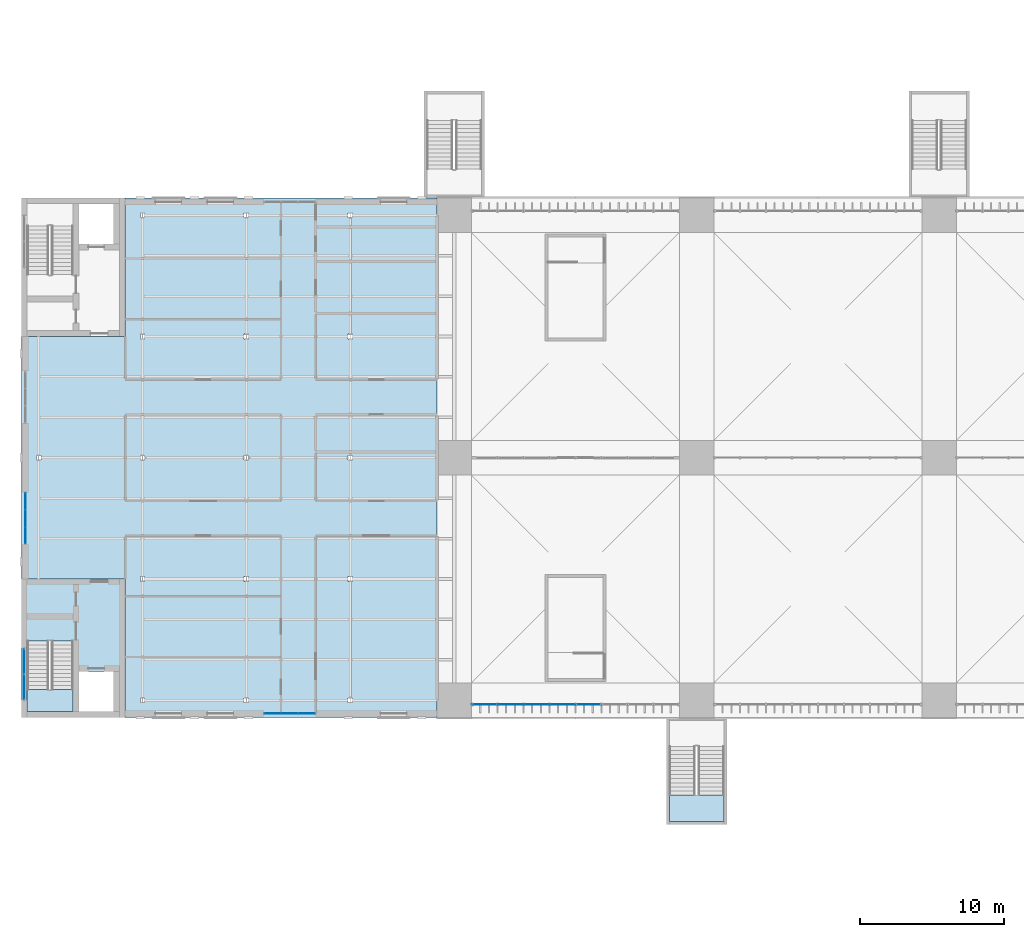
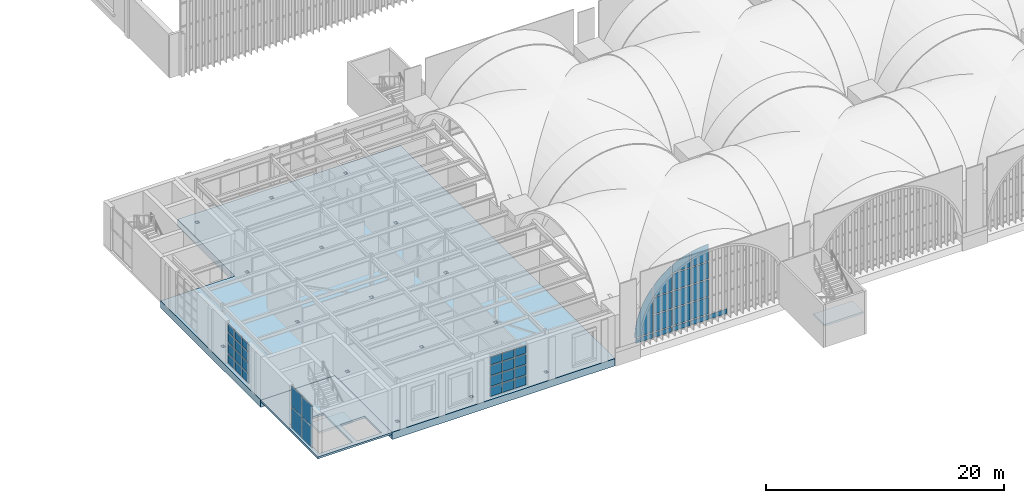
# One storey, part 75 of 169: 45 plates, 4 slabs, 6 elements without a shape of their own.
"""IFC4 building model written with IfcOpenShell, lengths in metres."""

from ifc_helpers import new_model, si_unit, direction, frame, origin, origin_2d, place, context, subcontext, project, spatial, polyline, rectangle, outline, extrude, material, layer, layer_set, type_object, element, aggregate, save


model = new_model("IFC4")

# Units and contexts
model_context = context("Model", 3, precision=1e-05, world=origin(), true_north=direction((0.0, 1.0)))
body_context = subcontext(model_context, "Body", "Model", "MODEL_VIEW")
ifc_project = project(units=[si_unit("LENGTHUNIT", "METRE"), si_unit("AREAUNIT", "SQUARE_METRE"), si_unit("VOLUMEUNIT", "CUBIC_METRE"), si_unit("PLANEANGLEUNIT", "RADIAN"), si_unit("MASSUNIT", "GRAM", prefix="KILO")], contexts=[model_context])

# Site, building, storey
site_placement = place(None, origin())
site = spatial("IfcSite", under=ifc_project, at=site_placement, CompositionType="ELEMENT")
building_placement = place(site_placement, origin())
building = spatial("IfcBuilding", under=site, at=building_placement, Name="Verrick Yard Athletic Hall", CompositionType="ELEMENT")
storey_placement = place(building_placement, frame((0.0, 0.0, 4.39990234375)))
storey = spatial("IfcBuildingStorey", under=building, at=storey_placement, Name="L01", CompositionType="ELEMENT", Elevation=4.39990234375)

# Slab
ifc_material_1 = material(Name="Concrete 35 MPa", Category="concrete")
ifc_layer_1 = layer(ifc_material_1, 0.199951171875)
ifc_layer_set_1 = layer_set([ifc_layer_1], Name="Core floor slab 200")
slab_type_1 = type_object("IfcSlabType", Name="Core floor slab 200", PredefinedType="FLOOR", material=ifc_layer_set_1)
slab_1_placement = place(storey_placement, frame((0.0, 0.0, -0.199951171875)))
element("IfcSlab", 1, at=slab_1_placement, inside=storey, type_object=slab_type_1, Name="CORE-CB1-FLR-L01", PredefinedType="FLOOR", context=body_context, shape_type="SweptSolid", body=[
    extrude(outline(polyline([(10.0, 18.0), (17.199951171875, 18.0), (17.199951171875, 27.60009765625), (10.0, 27.60009765625), (10.0, 18.0)]), holes=[polyline([(10.403076171875, 23.297119140625), (13.596923828125, 23.297119140625), (13.596923828125, 18.403076171875), (10.403076171875, 18.403076171875), (10.403076171875, 23.297119140625)]), polyline([(14.0029296875, 18.403076171875), (14.0029296875, 21.197021484375), (16.39697265625, 21.197021484375), (16.39697265625, 18.403076171875), (14.0029296875, 18.403076171875)])]), origin(), (0.0, 0.0, 1.0), 0.199951171875),
])

# Curtain wall, plates
ifc_material_2 = material(Name="Aluminium 6063-T5", Category="aluminium")
curtain_wall_type_1 = type_object("IfcCurtainWallType", Name="Core glazing strip", PredefinedType="NOTDEFINED", material=ifc_material_2)
curtain_wall_1_placement = place(storey_placement, origin())
curtain_wall_1 = element("IfcCurtainWall", 2, at=curtain_wall_1_placement, inside=storey, type_object=curtain_wall_type_1, Name="CORE-CB1-CW-L01", PredefinedType="NOTDEFINED")
ifc_material_3 = material(Name="Glass IGU low-e", Category="glass")
ifc_layer_2 = layer(ifc_material_3, 0.028076171875)
ifc_layer_set_2 = layer_set([ifc_layer_2], Name="Core glazing panel 28")
plate_type_1 = type_object("IfcPlateType", Name="Core glazing panel 28", PredefinedType="CURTAIN_PANEL", material=ifc_layer_set_2)
plate_1_placement = place(storey_placement, frame((10.199951171875, 20.114990234375, 0.06005859375), z_axis=(0.0, 0.0, 1.0), x_axis=(0.0, 1.0, 0.0)))
plate_1 = element("IfcPlate", 3, at=plate_1_placement, type_object=plate_type_1, Name="CW5 panel 1.1", PredefinedType="CURTAIN_PANEL", context=body_context, shape_type="SweptSolid", body=[
    extrude(rectangle(XDim=1.7099609375, YDim=0.028076171875, at=origin_2d()), origin(), (0.0, 0.0, 1.0), 2.110107421875),
])
plate_2_placement = place(storey_placement, frame((10.199951171875, 20.114990234375, 2.22998046875), z_axis=(0.0, 0.0, 1.0), x_axis=(0.0, 1.0, 0.0)))
plate_2 = element("IfcPlate", 4, at=plate_2_placement, type_object=plate_type_1, Name="CW5 panel 1.2", PredefinedType="CURTAIN_PANEL", context=body_context, shape_type="SweptSolid", body=[
    extrude(rectangle(XDim=1.7099609375, YDim=0.028076171875, at=origin_2d()), origin(), (0.0, 0.0, 1.0), 2.110107421875),
])
plate_3_placement = place(storey_placement, frame((10.199951171875, 21.885009765625, 0.06005859375), z_axis=(0.0, 0.0, 1.0), x_axis=(0.0, 1.0, 0.0)))
plate_3 = element("IfcPlate", 5, at=plate_3_placement, type_object=plate_type_1, Name="CW5 panel 2.1", PredefinedType="CURTAIN_PANEL", context=body_context, shape_type="SweptSolid", body=[
    extrude(rectangle(XDim=1.7099609375, YDim=0.028076171875, at=origin_2d()), origin(), (0.0, 0.0, 1.0), 2.110107421875),
])
plate_4_placement = place(storey_placement, frame((10.199951171875, 21.885009765625, 2.22998046875), z_axis=(0.0, 0.0, 1.0), x_axis=(0.0, 1.0, 0.0)))
plate_4 = element("IfcPlate", 6, at=plate_4_placement, type_object=plate_type_1, Name="CW5 panel 2.2", PredefinedType="CURTAIN_PANEL", context=body_context, shape_type="SweptSolid", body=[
    extrude(rectangle(XDim=1.7099609375, YDim=0.028076171875, at=origin_2d()), origin(), (0.0, 0.0, 1.0), 2.110107421875),
])
aggregate(curtain_wall_1, [plate_1, plate_2, plate_3, plate_4])

ifc_material_4 = material(Name="Aluminium and glass curtain wall", Category="aluminium")
ifc_layer_3 = layer(ifc_material_4, 0.14990234375)
ifc_layer_set_3 = layer_set([ifc_layer_3], Name="Arcade glazing arch")
curtain_wall_type_2 = type_object("IfcCurtainWallType", Name="Arcade glazing arch", PredefinedType="NOTDEFINED", material=ifc_layer_set_3)
curtain_wall_2_placement = place(storey_placement, origin())
curtain_wall_2 = element("IfcCurtainWall", 7, at=curtain_wall_2_placement, inside=storey, type_object=curtain_wall_type_2, Name="Arcade glazing S1", PredefinedType="NOTDEFINED")
ifc_material_5 = material(Name="Laminated glass 28 mm", Category="glass")
ifc_layer_4 = layer(ifc_material_5, 0.028076171875)
ifc_layer_set_4 = layer_set([ifc_layer_4], Name="Curtain wall glass panel")
plate_type_2 = type_object("IfcPlateType", Name="Curtain wall glass panel", PredefinedType="CURTAIN_PANEL", material=ifc_layer_set_4)
plate_5_placement = place(storey_placement, frame((41.199951171875, 18.89990234375, 0.101806640625), z_axis=(0.0, 0.0, 1.0), x_axis=(1.0, 0.0, 0.0)))
plate_5 = element("IfcPlate", 8, at=plate_5_placement, type_object=plate_type_2, Name="Arcade glazing S1 panel 1", PredefinedType="CURTAIN_PANEL", context=body_context, shape_type="SweptSolid", body=[
    extrude(outline(polyline([(1.749267578125, 0.0), (1.749267578125, 0.49755859375), (0.10205078125, 0.49755859375), (0.10205078125, 0.0), (1.749267578125, 0.0)])), frame((0.0, 0.01416015625, 0.0), z_axis=(0.0, -1.0, 0.0), x_axis=(1.0, 0.0, 0.0)), (0.0, 0.0, 1.0), 0.028076171875),
])
plate_6_placement = place(storey_placement, frame((41.199951171875, 18.89990234375, 0.700927734375), z_axis=(0.0, 0.0, 1.0), x_axis=(1.0, 0.0, 0.0)))
plate_6 = element("IfcPlate", 9, at=plate_6_placement, type_object=plate_type_2, Name="Arcade glazing S1 panel 2", PredefinedType="CURTAIN_PANEL", context=body_context, shape_type="SweptSolid", body=[
    extrude(outline(polyline([(1.749267578125, 4.651123046875), (1.6845703125, 4.5771484375), (1.48779296875, 4.332275390625), (1.302001953125, 4.078857421875), (1.127685546875, 3.81787109375), (0.964599609375, 3.549072265625), (0.8134765625, 3.273681640625), (0.674560546875, 2.9921875), (0.548095703125, 2.70458984375), (0.43408203125, 2.41162109375), (0.333251953125, 2.1142578125), (0.245361328125, 1.812744140625), (0.170654296875, 1.507568359375), (0.109375, 1.199462890625), (0.0615234375, 0.888916015625), (0.02734375, 0.57666015625), (0.0068359375, 0.26318359375), (0.001220703125, 0.0), (1.749267578125, 0.0), (1.749267578125, 4.651123046875)])), frame((0.0, 0.01416015625, 0.0), z_axis=(0.0, -1.0, 0.0), x_axis=(1.0, 0.0, 0.0)), (0.0, 0.0, 1.0), 0.028076171875),
])
plate_7_placement = place(storey_placement, frame((41.199951171875, 18.89990234375, 0.101806640625), z_axis=(0.0, 0.0, 1.0), x_axis=(1.0, 0.0, 0.0)))
plate_7 = element("IfcPlate", 10, at=plate_7_placement, type_object=plate_type_2, Name="Arcade glazing S1 panel 3", PredefinedType="CURTAIN_PANEL", context=body_context, shape_type="SweptSolid", body=[
    extrude(outline(polyline([(3.54931640625, 0.0), (3.54931640625, 0.49755859375), (1.850830078125, 0.49755859375), (1.850830078125, 0.0), (3.54931640625, 0.0)])), frame((0.0, 0.01416015625, 0.0), z_axis=(0.0, -1.0, 0.0), x_axis=(1.0, 0.0, 0.0)), (0.0, 0.0, 1.0), 0.028076171875),
])
plate_8_placement = place(storey_placement, frame((41.199951171875, 18.89990234375, 0.700927734375), z_axis=(0.0, 0.0, 1.0), x_axis=(1.0, 0.0, 0.0)))
plate_8 = element("IfcPlate", 11, at=plate_8_placement, type_object=plate_type_2, Name="Arcade glazing S1 panel 4", PredefinedType="CURTAIN_PANEL", context=body_context, shape_type="SweptSolid", body=[
    extrude(outline(polyline([(3.54931640625, 0.0), (3.54931640625, 1.698486328125), (1.850830078125, 1.698486328125), (1.850830078125, 0.0), (3.54931640625, 0.0)])), frame((0.0, 0.01416015625, 0.0), z_axis=(0.0, -1.0, 0.0), x_axis=(1.0, 0.0, 0.0)), (0.0, 0.0, 1.0), 0.028076171875),
])
plate_9_placement = place(storey_placement, frame((41.199951171875, 18.89990234375, 2.5009765625), z_axis=(0.0, 0.0, 1.0), x_axis=(1.0, 0.0, 0.0)))
plate_9 = element("IfcPlate", 12, at=plate_9_placement, type_object=plate_type_2, Name="Arcade glazing S1 panel 5", PredefinedType="CURTAIN_PANEL", context=body_context, shape_type="SweptSolid", body=[
    extrude(outline(polyline([(3.54931640625, 0.0), (3.54931640625, 1.6982421875), (1.850830078125, 1.6982421875), (1.850830078125, 0.0), (3.54931640625, 0.0)])), frame((0.0, 0.01416015625, 0.0), z_axis=(0.0, -1.0, 0.0), x_axis=(1.0, 0.0, 0.0)), (0.0, 0.0, 1.0), 0.028076171875),
])
plate_10_placement = place(storey_placement, frame((41.199951171875, 18.89990234375, 4.30078125), z_axis=(0.0, 0.0, 1.0), x_axis=(1.0, 0.0, 0.0)))
plate_10 = element("IfcPlate", 13, at=plate_10_placement, type_object=plate_type_2, Name="Arcade glazing S1 panel 6", PredefinedType="CURTAIN_PANEL", context=body_context, shape_type="SweptSolid", body=[
    extrude(outline(polyline([(3.54931640625, 2.553955078125), (3.331298828125, 2.421630859375), (3.0703125, 2.247314453125), (2.81689453125, 2.0615234375), (2.572021484375, 1.86474609375), (2.335693359375, 1.65771484375), (2.10888671875, 1.4404296875), (1.8916015625, 1.213623046875), (1.850830078125, 1.1669921875), (1.850830078125, 0.0), (3.54931640625, 0.0), (3.54931640625, 2.553955078125)])), frame((0.0, 0.01416015625, 0.0), z_axis=(0.0, -1.0, 0.0), x_axis=(1.0, 0.0, 0.0)), (0.0, 0.0, 1.0), 0.028076171875),
])
plate_11_placement = place(storey_placement, frame((41.199951171875, 18.89990234375, 0.101806640625), z_axis=(0.0, 0.0, 1.0), x_axis=(1.0, 0.0, 0.0)))
plate_11 = element("IfcPlate", 14, at=plate_11_placement, type_object=plate_type_2, Name="Arcade glazing S1 panel 7", PredefinedType="CURTAIN_PANEL", context=body_context, shape_type="SweptSolid", body=[
    extrude(outline(polyline([(5.34912109375, 0.0), (5.34912109375, 0.49755859375), (3.65087890625, 0.49755859375), (3.65087890625, 0.0), (5.34912109375, 0.0)])), frame((0.0, 0.01416015625, 0.0), z_axis=(0.0, -1.0, 0.0), x_axis=(1.0, 0.0, 0.0)), (0.0, 0.0, 1.0), 0.028076171875),
])
plate_12_placement = place(storey_placement, frame((41.199951171875, 18.89990234375, 0.700927734375), z_axis=(0.0, 0.0, 1.0), x_axis=(1.0, 0.0, 0.0)))
plate_12 = element("IfcPlate", 15, at=plate_12_placement, type_object=plate_type_2, Name="Arcade glazing S1 panel 8", PredefinedType="CURTAIN_PANEL", context=body_context, shape_type="SweptSolid", body=[
    extrude(outline(polyline([(5.34912109375, 0.0), (5.34912109375, 1.698486328125), (3.65087890625, 1.698486328125), (3.65087890625, 0.0), (5.34912109375, 0.0)])), frame((0.0, 0.01416015625, 0.0), z_axis=(0.0, -1.0, 0.0), x_axis=(1.0, 0.0, 0.0)), (0.0, 0.0, 1.0), 0.028076171875),
])
plate_13_placement = place(storey_placement, frame((41.199951171875, 18.89990234375, 2.5009765625), z_axis=(0.0, 0.0, 1.0), x_axis=(1.0, 0.0, 0.0)))
plate_13 = element("IfcPlate", 16, at=plate_13_placement, type_object=plate_type_2, Name="Arcade glazing S1 panel 9", PredefinedType="CURTAIN_PANEL", context=body_context, shape_type="SweptSolid", body=[
    extrude(outline(polyline([(5.34912109375, 0.0), (5.34912109375, 1.6982421875), (3.65087890625, 1.6982421875), (3.65087890625, 0.0), (5.34912109375, 0.0)])), frame((0.0, 0.01416015625, 0.0), z_axis=(0.0, -1.0, 0.0), x_axis=(1.0, 0.0, 0.0)), (0.0, 0.0, 1.0), 0.028076171875),
])
plate_14_placement = place(storey_placement, frame((41.199951171875, 18.89990234375, 4.30078125), z_axis=(0.0, 0.0, 1.0), x_axis=(1.0, 0.0, 0.0)))
plate_14 = element("IfcPlate", 17, at=plate_14_placement, type_object=plate_type_2, Name="Arcade glazing S1 panel 10", PredefinedType="CURTAIN_PANEL", context=body_context, shape_type="SweptSolid", body=[
    extrude(outline(polyline([(5.34912109375, 0.0), (5.34912109375, 1.698486328125), (3.65087890625, 1.698486328125), (3.65087890625, 0.0), (5.34912109375, 0.0)])), frame((0.0, 0.01416015625, 0.0), z_axis=(0.0, -1.0, 0.0), x_axis=(1.0, 0.0, 0.0)), (0.0, 0.0, 1.0), 0.028076171875),
])
plate_15_placement = place(storey_placement, frame((41.199951171875, 18.89990234375, 6.100830078125), z_axis=(0.0, 0.0, 1.0), x_axis=(1.0, 0.0, 0.0)))
plate_15 = element("IfcPlate", 18, at=plate_15_placement, type_object=plate_type_2, Name="Arcade glazing S1 panel 11", PredefinedType="CURTAIN_PANEL", context=body_context, shape_type="SweptSolid", body=[
    extrude(outline(polyline([(5.34912109375, 1.507080078125), (5.33642578125, 1.50390625), (5.034912109375, 1.416015625), (4.737548828125, 1.315185546875), (4.444580078125, 1.201171875), (4.156982421875, 1.07470703125), (3.87548828125, 0.935791015625), (3.65087890625, 0.8125), (3.65087890625, 0.0), (5.34912109375, 0.0), (5.34912109375, 1.507080078125)])), frame((0.0, 0.01416015625, 0.0), z_axis=(0.0, -1.0, 0.0), x_axis=(1.0, 0.0, 0.0)), (0.0, 0.0, 1.0), 0.028076171875),
])
plate_16_placement = place(storey_placement, frame((41.199951171875, 18.89990234375, 0.101806640625), z_axis=(0.0, 0.0, 1.0), x_axis=(1.0, 0.0, 0.0)))
plate_16 = element("IfcPlate", 19, at=plate_16_placement, type_object=plate_type_2, Name="Arcade glazing S1 panel 12", PredefinedType="CURTAIN_PANEL", context=body_context, shape_type="SweptSolid", body=[
    extrude(outline(polyline([(7.149169921875, 0.0), (7.149169921875, 0.49755859375), (5.45068359375, 0.49755859375), (5.45068359375, 0.0), (7.149169921875, 0.0)])), frame((0.0, 0.01416015625, 0.0), z_axis=(0.0, -1.0, 0.0), x_axis=(1.0, 0.0, 0.0)), (0.0, 0.0, 1.0), 0.028076171875),
])
plate_17_placement = place(storey_placement, frame((41.199951171875, 18.89990234375, 0.700927734375), z_axis=(0.0, 0.0, 1.0), x_axis=(1.0, 0.0, 0.0)))
plate_17 = element("IfcPlate", 20, at=plate_17_placement, type_object=plate_type_2, Name="Arcade glazing S1 panel 13", PredefinedType="CURTAIN_PANEL", context=body_context, shape_type="SweptSolid", body=[
    extrude(outline(polyline([(7.149169921875, 0.0), (7.149169921875, 1.698486328125), (5.45068359375, 1.698486328125), (5.45068359375, 0.0), (7.149169921875, 0.0)])), frame((0.0, 0.01416015625, 0.0), z_axis=(0.0, -1.0, 0.0), x_axis=(1.0, 0.0, 0.0)), (0.0, 0.0, 1.0), 0.028076171875),
])
plate_18_placement = place(storey_placement, frame((41.199951171875, 18.89990234375, 2.5009765625), z_axis=(0.0, 0.0, 1.0), x_axis=(1.0, 0.0, 0.0)))
plate_18 = element("IfcPlate", 21, at=plate_18_placement, type_object=plate_type_2, Name="Arcade glazing S1 panel 14", PredefinedType="CURTAIN_PANEL", context=body_context, shape_type="SweptSolid", body=[
    extrude(outline(polyline([(7.149169921875, 0.0), (7.149169921875, 1.6982421875), (5.45068359375, 1.6982421875), (5.45068359375, 0.0), (7.149169921875, 0.0)])), frame((0.0, 0.01416015625, 0.0), z_axis=(0.0, -1.0, 0.0), x_axis=(1.0, 0.0, 0.0)), (0.0, 0.0, 1.0), 0.028076171875),
])
plate_19_placement = place(storey_placement, frame((41.199951171875, 18.89990234375, 4.30078125), z_axis=(0.0, 0.0, 1.0), x_axis=(1.0, 0.0, 0.0)))
plate_19 = element("IfcPlate", 22, at=plate_19_placement, type_object=plate_type_2, Name="Arcade glazing S1 panel 15", PredefinedType="CURTAIN_PANEL", context=body_context, shape_type="SweptSolid", body=[
    extrude(outline(polyline([(7.149169921875, 0.0), (7.149169921875, 1.698486328125), (5.45068359375, 1.698486328125), (5.45068359375, 0.0), (7.149169921875, 0.0)])), frame((0.0, 0.01416015625, 0.0), z_axis=(0.0, -1.0, 0.0), x_axis=(1.0, 0.0, 0.0)), (0.0, 0.0, 1.0), 0.028076171875),
])
plate_20_placement = place(storey_placement, frame((41.199951171875, 18.89990234375, 6.100830078125), z_axis=(0.0, 0.0, 1.0), x_axis=(1.0, 0.0, 0.0)))
plate_20 = element("IfcPlate", 23, at=plate_20_placement, type_object=plate_type_2, Name="Arcade glazing S1 panel 16", PredefinedType="CURTAIN_PANEL", context=body_context, shape_type="SweptSolid", body=[
    extrude(outline(polyline([(7.149169921875, 1.748046875), (6.885986328125, 1.742431640625), (6.572509765625, 1.721923828125), (6.26025390625, 1.687744140625), (5.94970703125, 1.639892578125), (5.6416015625, 1.57861328125), (5.45068359375, 1.531982421875), (5.45068359375, 0.0), (7.149169921875, 0.0), (7.149169921875, 1.748046875)])), frame((0.0, 0.01416015625, 0.0), z_axis=(0.0, -1.0, 0.0), x_axis=(1.0, 0.0, 0.0)), (0.0, 0.0, 1.0), 0.028076171875),
])
plate_21_placement = place(storey_placement, frame((41.199951171875, 18.89990234375, 0.101806640625), z_axis=(0.0, 0.0, 1.0), x_axis=(1.0, 0.0, 0.0)))
plate_21 = element("IfcPlate", 24, at=plate_21_placement, type_object=plate_type_2, Name="Arcade glazing S1 panel 17", PredefinedType="CURTAIN_PANEL", context=body_context, shape_type="SweptSolid", body=[
    extrude(outline(polyline([(8.94921875, 0.0), (8.94921875, 0.49755859375), (7.250732421875, 0.49755859375), (7.250732421875, 0.0), (8.94921875, 0.0)])), frame((0.0, 0.01416015625, 0.0), z_axis=(0.0, -1.0, 0.0), x_axis=(1.0, 0.0, 0.0)), (0.0, 0.0, 1.0), 0.028076171875),
])
aggregate(curtain_wall_2, [plate_5, plate_6, plate_7, plate_8, plate_9, plate_10, plate_11, plate_12, plate_13, plate_14, plate_15, plate_16, plate_17, plate_18, plate_19, plate_20, plate_21])

ifc_material_6 = material(Name="Anodised aluminium", Category="aluminium")
ifc_layer_5 = layer(ifc_material_6, 0.199951171875)
ifc_layer_set_5 = layer_set([ifc_layer_5], Name="Front glazing")
curtain_wall_type_3 = type_object("IfcCurtainWallType", Name="Front glazing", PredefinedType="NOTDEFINED", material=ifc_layer_set_5)
curtain_wall_3_placement = place(storey_placement, origin())
curtain_wall_3 = element("IfcCurtainWall", 25, at=curtain_wall_3_placement, inside=storey, type_object=curtain_wall_type_3, Name="ENVB-WS-L01-CW268", PredefinedType="NOTDEFINED")
ifc_layer_6 = layer(ifc_material_3, 0.03125)
ifc_layer_set_6 = layer_set([ifc_layer_6], Name="Glazing panel 31")
plate_type_3 = type_object("IfcPlateType", Name="Glazing panel 31", PredefinedType="CURTAIN_PANEL", material=ifc_layer_set_6)
plate_22_placement = place(storey_placement, frame((27.4150390625, 18.28125, 0.1201171875), z_axis=(0.0, 0.0, 1.0), x_axis=(1.0, 0.0, 0.0)))
plate_22 = element("IfcPlate", 26, at=plate_22_placement, type_object=plate_type_3, Name="ENVB-WS-L01-CW268/P00-00", PredefinedType="CURTAIN_PANEL", context=body_context, shape_type="SweptSolid", body=[
    extrude(rectangle(XDim=1.110107421875, YDim=0.03125, at=origin_2d()), origin(), (0.0, 0.0, 1.0), 0.919921875),
])
plate_23_placement = place(storey_placement, frame((27.4150390625, 18.28125, 1.16015625), z_axis=(0.0, 0.0, 1.0), x_axis=(1.0, 0.0, 0.0)))
plate_23 = element("IfcPlate", 27, at=plate_23_placement, type_object=plate_type_3, Name="ENVB-WS-L01-CW268/P00-01", PredefinedType="CURTAIN_PANEL", context=body_context, shape_type="SweptSolid", body=[
    extrude(rectangle(XDim=1.110107421875, YDim=0.03125, at=origin_2d()), origin(), (0.0, 0.0, 1.0), 0.97998046875),
])
plate_24_placement = place(storey_placement, frame((27.4150390625, 18.28125, 2.260009765625), z_axis=(0.0, 0.0, 1.0), x_axis=(1.0, 0.0, 0.0)))
plate_24 = element("IfcPlate", 28, at=plate_24_placement, type_object=plate_type_3, Name="ENVB-WS-L01-CW268/P00-02", PredefinedType="CURTAIN_PANEL", context=body_context, shape_type="SweptSolid", body=[
    extrude(rectangle(XDim=1.110107421875, YDim=0.03125, at=origin_2d()), origin(), (0.0, 0.0, 1.0), 0.97998046875),
])
plate_25_placement = place(storey_placement, frame((27.4150390625, 18.28125, 3.360107421875), z_axis=(0.0, 0.0, 1.0), x_axis=(1.0, 0.0, 0.0)))
plate_25 = element("IfcPlate", 29, at=plate_25_placement, type_object=plate_type_3, Name="ENVB-WS-L01-CW268/P00-03", PredefinedType="CURTAIN_PANEL", context=body_context, shape_type="SweptSolid", body=[
    extrude(rectangle(XDim=1.110107421875, YDim=0.03125, at=origin_2d()), origin(), (0.0, 0.0, 1.0), 0.77001953125),
])
plate_26_placement = place(storey_placement, frame((28.60009765625, 18.28125, 0.1201171875), z_axis=(0.0, 0.0, 1.0), x_axis=(1.0, 0.0, 0.0)))
plate_26 = element("IfcPlate", 30, at=plate_26_placement, type_object=plate_type_3, Name="ENVB-WS-L01-CW268/P01-00", PredefinedType="CURTAIN_PANEL", context=body_context, shape_type="SweptSolid", body=[
    extrude(rectangle(XDim=1.139892578125, YDim=0.03125, at=origin_2d()), origin(), (0.0, 0.0, 1.0), 0.919921875),
])
plate_27_placement = place(storey_placement, frame((28.60009765625, 18.28125, 1.16015625), z_axis=(0.0, 0.0, 1.0), x_axis=(1.0, 0.0, 0.0)))
plate_27 = element("IfcPlate", 31, at=plate_27_placement, type_object=plate_type_3, Name="ENVB-WS-L01-CW268/P01-01", PredefinedType="CURTAIN_PANEL", context=body_context, shape_type="SweptSolid", body=[
    extrude(rectangle(XDim=1.139892578125, YDim=0.03125, at=origin_2d()), origin(), (0.0, 0.0, 1.0), 0.97998046875),
])
plate_28_placement = place(storey_placement, frame((28.60009765625, 18.28125, 2.260009765625), z_axis=(0.0, 0.0, 1.0), x_axis=(1.0, 0.0, 0.0)))
plate_28 = element("IfcPlate", 32, at=plate_28_placement, type_object=plate_type_3, Name="ENVB-WS-L01-CW268/P01-02", PredefinedType="CURTAIN_PANEL", context=body_context, shape_type="SweptSolid", body=[
    extrude(rectangle(XDim=1.139892578125, YDim=0.03125, at=origin_2d()), origin(), (0.0, 0.0, 1.0), 0.97998046875),
])
plate_29_placement = place(storey_placement, frame((28.60009765625, 18.28125, 3.360107421875), z_axis=(0.0, 0.0, 1.0), x_axis=(1.0, 0.0, 0.0)))
plate_29 = element("IfcPlate", 33, at=plate_29_placement, type_object=plate_type_3, Name="ENVB-WS-L01-CW268/P01-03", PredefinedType="CURTAIN_PANEL", context=body_context, shape_type="SweptSolid", body=[
    extrude(rectangle(XDim=1.139892578125, YDim=0.03125, at=origin_2d()), origin(), (0.0, 0.0, 1.0), 0.77001953125),
])
plate_30_placement = place(storey_placement, frame((29.784912109375, 18.28125, 0.1201171875), z_axis=(0.0, 0.0, 1.0), x_axis=(1.0, 0.0, 0.0)))
plate_30 = element("IfcPlate", 34, at=plate_30_placement, type_object=plate_type_3, Name="ENVB-WS-L01-CW268/P02-00", PredefinedType="CURTAIN_PANEL", context=body_context, shape_type="SweptSolid", body=[
    extrude(rectangle(XDim=1.110107421875, YDim=0.03125, at=origin_2d()), origin(), (0.0, 0.0, 1.0), 0.919921875),
])
plate_31_placement = place(storey_placement, frame((29.784912109375, 18.28125, 1.16015625), z_axis=(0.0, 0.0, 1.0), x_axis=(1.0, 0.0, 0.0)))
plate_31 = element("IfcPlate", 35, at=plate_31_placement, type_object=plate_type_3, Name="ENVB-WS-L01-CW268/P02-01", PredefinedType="CURTAIN_PANEL", context=body_context, shape_type="SweptSolid", body=[
    extrude(rectangle(XDim=1.110107421875, YDim=0.03125, at=origin_2d()), origin(), (0.0, 0.0, 1.0), 0.97998046875),
])
plate_32_placement = place(storey_placement, frame((29.784912109375, 18.28125, 2.260009765625), z_axis=(0.0, 0.0, 1.0), x_axis=(1.0, 0.0, 0.0)))
plate_32 = element("IfcPlate", 36, at=plate_32_placement, type_object=plate_type_3, Name="ENVB-WS-L01-CW268/P02-02", PredefinedType="CURTAIN_PANEL", context=body_context, shape_type="SweptSolid", body=[
    extrude(rectangle(XDim=1.110107421875, YDim=0.03125, at=origin_2d()), origin(), (0.0, 0.0, 1.0), 0.97998046875),
])
plate_33_placement = place(storey_placement, frame((29.784912109375, 18.28125, 3.360107421875), z_axis=(0.0, 0.0, 1.0), x_axis=(1.0, 0.0, 0.0)))
plate_33 = element("IfcPlate", 37, at=plate_33_placement, type_object=plate_type_3, Name="ENVB-WS-L01-CW268/P02-03", PredefinedType="CURTAIN_PANEL", context=body_context, shape_type="SweptSolid", body=[
    extrude(rectangle(XDim=1.110107421875, YDim=0.03125, at=origin_2d()), origin(), (0.0, 0.0, 1.0), 0.77001953125),
])
aggregate(curtain_wall_3, [plate_22, plate_23, plate_24, plate_25, plate_26, plate_27, plate_28, plate_29, plate_30, plate_31, plate_32, plate_33])

curtain_wall_4_placement = place(storey_placement, origin())
curtain_wall_4 = element("IfcCurtainWall", 38, at=curtain_wall_4_placement, inside=storey, type_object=curtain_wall_type_3, Name="ENVB-WW-L01-CW300", PredefinedType="NOTDEFINED")
plate_34_placement = place(storey_placement, frame((10.28125, 30.614990234375, 0.1201171875), z_axis=(0.0, 0.0, 1.0), x_axis=(0.0, 1.0, 0.0)))
plate_34 = element("IfcPlate", 39, at=plate_34_placement, type_object=plate_type_3, Name="ENVB-WW-L01-CW300/P00-00", PredefinedType="CURTAIN_PANEL", context=body_context, shape_type="SweptSolid", body=[
    extrude(rectangle(XDim=1.110107421875, YDim=0.03125, at=origin_2d()), origin(), (0.0, 0.0, 1.0), 0.919921875),
])
plate_35_placement = place(storey_placement, frame((10.28125, 30.614990234375, 1.16015625), z_axis=(0.0, 0.0, 1.0), x_axis=(0.0, 1.0, 0.0)))
plate_35 = element("IfcPlate", 40, at=plate_35_placement, type_object=plate_type_3, Name="ENVB-WW-L01-CW300/P00-01", PredefinedType="CURTAIN_PANEL", context=body_context, shape_type="SweptSolid", body=[
    extrude(rectangle(XDim=1.110107421875, YDim=0.03125, at=origin_2d()), origin(), (0.0, 0.0, 1.0), 0.97998046875),
])
plate_36_placement = place(storey_placement, frame((10.28125, 30.614990234375, 2.260009765625), z_axis=(0.0, 0.0, 1.0), x_axis=(0.0, 1.0, 0.0)))
plate_36 = element("IfcPlate", 41, at=plate_36_placement, type_object=plate_type_3, Name="ENVB-WW-L01-CW300/P00-02", PredefinedType="CURTAIN_PANEL", context=body_context, shape_type="SweptSolid", body=[
    extrude(rectangle(XDim=1.110107421875, YDim=0.03125, at=origin_2d()), origin(), (0.0, 0.0, 1.0), 0.97998046875),
])
plate_37_placement = place(storey_placement, frame((10.28125, 30.614990234375, 3.360107421875), z_axis=(0.0, 0.0, 1.0), x_axis=(0.0, 1.0, 0.0)))
plate_37 = element("IfcPlate", 42, at=plate_37_placement, type_object=plate_type_3, Name="ENVB-WW-L01-CW300/P00-03", PredefinedType="CURTAIN_PANEL", context=body_context, shape_type="SweptSolid", body=[
    extrude(rectangle(XDim=1.110107421875, YDim=0.03125, at=origin_2d()), origin(), (0.0, 0.0, 1.0), 0.77001953125),
])
plate_38_placement = place(storey_placement, frame((10.28125, 31.800048828125, 0.1201171875), z_axis=(0.0, 0.0, 1.0), x_axis=(0.0, 1.0, 0.0)))
plate_38 = element("IfcPlate", 43, at=plate_38_placement, type_object=plate_type_3, Name="ENVB-WW-L01-CW300/P01-00", PredefinedType="CURTAIN_PANEL", context=body_context, shape_type="SweptSolid", body=[
    extrude(rectangle(XDim=1.139892578125, YDim=0.03125, at=origin_2d()), origin(), (0.0, 0.0, 1.0), 0.919921875),
])
plate_39_placement = place(storey_placement, frame((10.28125, 31.800048828125, 1.16015625), z_axis=(0.0, 0.0, 1.0), x_axis=(0.0, 1.0, 0.0)))
plate_39 = element("IfcPlate", 44, at=plate_39_placement, type_object=plate_type_3, Name="ENVB-WW-L01-CW300/P01-01", PredefinedType="CURTAIN_PANEL", context=body_context, shape_type="SweptSolid", body=[
    extrude(rectangle(XDim=1.139892578125, YDim=0.03125, at=origin_2d()), origin(), (0.0, 0.0, 1.0), 0.97998046875),
])
plate_40_placement = place(storey_placement, frame((10.28125, 31.800048828125, 2.260009765625), z_axis=(0.0, 0.0, 1.0), x_axis=(0.0, 1.0, 0.0)))
plate_40 = element("IfcPlate", 45, at=plate_40_placement, type_object=plate_type_3, Name="ENVB-WW-L01-CW300/P01-02", PredefinedType="CURTAIN_PANEL", context=body_context, shape_type="SweptSolid", body=[
    extrude(rectangle(XDim=1.139892578125, YDim=0.03125, at=origin_2d()), origin(), (0.0, 0.0, 1.0), 0.97998046875),
])
plate_41_placement = place(storey_placement, frame((10.28125, 31.800048828125, 3.360107421875), z_axis=(0.0, 0.0, 1.0), x_axis=(0.0, 1.0, 0.0)))
plate_41 = element("IfcPlate", 46, at=plate_41_placement, type_object=plate_type_3, Name="ENVB-WW-L01-CW300/P01-03", PredefinedType="CURTAIN_PANEL", context=body_context, shape_type="SweptSolid", body=[
    extrude(rectangle(XDim=1.139892578125, YDim=0.03125, at=origin_2d()), origin(), (0.0, 0.0, 1.0), 0.77001953125),
])
plate_42_placement = place(storey_placement, frame((10.28125, 32.985107421875, 0.1201171875), z_axis=(0.0, 0.0, 1.0), x_axis=(0.0, 1.0, 0.0)))
plate_42 = element("IfcPlate", 47, at=plate_42_placement, type_object=plate_type_3, Name="ENVB-WW-L01-CW300/P02-00", PredefinedType="CURTAIN_PANEL", context=body_context, shape_type="SweptSolid", body=[
    extrude(rectangle(XDim=1.110107421875, YDim=0.03125, at=origin_2d()), origin(), (0.0, 0.0, 1.0), 0.919921875),
])
plate_43_placement = place(storey_placement, frame((10.28125, 32.985107421875, 1.16015625), z_axis=(0.0, 0.0, 1.0), x_axis=(0.0, 1.0, 0.0)))
plate_43 = element("IfcPlate", 48, at=plate_43_placement, type_object=plate_type_3, Name="ENVB-WW-L01-CW300/P02-01", PredefinedType="CURTAIN_PANEL", context=body_context, shape_type="SweptSolid", body=[
    extrude(rectangle(XDim=1.110107421875, YDim=0.03125, at=origin_2d()), origin(), (0.0, 0.0, 1.0), 0.97998046875),
])
plate_44_placement = place(storey_placement, frame((10.28125, 32.985107421875, 2.260009765625), z_axis=(0.0, 0.0, 1.0), x_axis=(0.0, 1.0, 0.0)))
plate_44 = element("IfcPlate", 49, at=plate_44_placement, type_object=plate_type_3, Name="ENVB-WW-L01-CW300/P02-02", PredefinedType="CURTAIN_PANEL", context=body_context, shape_type="SweptSolid", body=[
    extrude(rectangle(XDim=1.110107421875, YDim=0.03125, at=origin_2d()), origin(), (0.0, 0.0, 1.0), 0.97998046875),
])
plate_45_placement = place(storey_placement, frame((10.28125, 32.985107421875, 3.360107421875), z_axis=(0.0, 0.0, 1.0), x_axis=(0.0, 1.0, 0.0)))
plate_45 = element("IfcPlate", 50, at=plate_45_placement, type_object=plate_type_3, Name="ENVB-WW-L01-CW300/P02-03", PredefinedType="CURTAIN_PANEL", context=body_context, shape_type="SweptSolid", body=[
    extrude(rectangle(XDim=1.110107421875, YDim=0.03125, at=origin_2d()), origin(), (0.0, 0.0, 1.0), 0.77001953125),
])
aggregate(curtain_wall_4, [plate_34, plate_35, plate_36, plate_37, plate_38, plate_39, plate_40, plate_41, plate_42, plate_43, plate_44, plate_45])

# Slab
ifc_layer_7 = layer(ifc_material_1, 0.75)
ifc_layer_set_7 = layer_set([ifc_layer_7], Name="STR Flat slab SL2")
slab_type_2 = type_object("IfcSlabType", Name="STR Flat slab SL2", PredefinedType="FLOOR", material=ifc_layer_set_7)
slab_2_placement = place(storey_placement, frame((0.0, 0.0, -0.75)))
element("IfcSlab", 51, at=slab_2_placement, inside=storey, type_object=slab_type_2, Name="STR-SL-WING-L01", PredefinedType="FLOOR", context=body_context, shape_type="SweptSolid", body=[
    extrude(outline(polyline([(38.800048828125, 54.0), (17.199951171875, 54.0), (17.199951171875, 44.39990234375), (10.0, 44.39990234375), (10.0, 27.60009765625), (17.199951171875, 27.60009765625), (17.199951171875, 18.0), (38.800048828125, 18.0), (38.800048828125, 54.0)]), holes=[polyline([(18.554443359375, 19.361572265625), (18.554443359375, 19.03857421875), (18.24560546875, 19.03857421875), (18.24560546875, 19.361572265625), (18.554443359375, 19.361572265625)]), polyline([(18.554443359375, 27.761474609375), (18.554443359375, 27.4384765625), (18.24560546875, 27.4384765625), (18.24560546875, 27.761474609375), (18.554443359375, 27.761474609375)]), polyline([(11.3544921875, 35.83837890625), (11.04541015625, 35.83837890625), (11.04541015625, 36.16162109375), (11.3544921875, 36.16162109375), (11.3544921875, 35.83837890625)]), polyline([(18.554443359375, 35.83837890625), (18.24560546875, 35.83837890625), (18.24560546875, 36.16162109375), (18.554443359375, 36.16162109375), (18.554443359375, 35.83837890625)]), polyline([(25.75439453125, 36.16162109375), (25.75439453125, 35.83837890625), (25.445556640625, 35.83837890625), (25.445556640625, 36.16162109375), (25.75439453125, 36.16162109375)]), polyline([(18.554443359375, 44.5615234375), (18.554443359375, 44.238525390625), (18.24560546875, 44.238525390625), (18.24560546875, 44.5615234375), (18.554443359375, 44.5615234375)]), polyline([(25.75439453125, 44.5615234375), (25.75439453125, 44.238525390625), (25.445556640625, 44.238525390625), (25.445556640625, 44.5615234375), (25.75439453125, 44.5615234375)]), polyline([(18.554443359375, 52.638427734375), (18.24560546875, 52.638427734375), (18.24560546875, 52.96142578125), (18.554443359375, 52.96142578125), (18.554443359375, 52.638427734375)]), polyline([(25.75439453125, 52.96142578125), (25.75439453125, 52.638427734375), (25.445556640625, 52.638427734375), (25.445556640625, 52.96142578125), (25.75439453125, 52.96142578125)]), polyline([(25.75439453125, 19.361572265625), (25.75439453125, 19.03857421875), (25.445556640625, 19.03857421875), (25.445556640625, 19.361572265625), (25.75439453125, 19.361572265625)]), polyline([(32.95458984375, 19.361572265625), (32.95458984375, 19.03857421875), (32.6455078125, 19.03857421875), (32.6455078125, 19.361572265625), (32.95458984375, 19.361572265625)]), polyline([(25.75439453125, 27.4384765625), (25.445556640625, 27.4384765625), (25.445556640625, 27.761474609375), (25.75439453125, 27.761474609375), (25.75439453125, 27.4384765625)]), polyline([(32.95458984375, 27.761474609375), (32.95458984375, 27.4384765625), (32.6455078125, 27.4384765625), (32.6455078125, 27.761474609375), (32.95458984375, 27.761474609375)]), polyline([(32.95458984375, 35.83837890625), (32.6455078125, 35.83837890625), (32.6455078125, 36.16162109375), (32.95458984375, 36.16162109375), (32.95458984375, 35.83837890625)]), polyline([(32.95458984375, 44.5615234375), (32.95458984375, 44.238525390625), (32.6455078125, 44.238525390625), (32.6455078125, 44.5615234375), (32.95458984375, 44.5615234375)]), polyline([(32.95458984375, 52.638427734375), (32.6455078125, 52.638427734375), (32.6455078125, 52.96142578125), (32.95458984375, 52.96142578125), (32.95458984375, 52.638427734375)])]), origin(), (0.0, 0.0, 1.0), 0.75),
])

# Stair, slab
stair_type_1 = type_object("IfcStairType", Name="Stair ST1 1500 wide 26 risers", PredefinedType="HALF_TURN_STAIR", material=ifc_material_1)
stair_1_placement = place(storey_placement, origin())
stair_1 = element("IfcStair", 52, at=stair_1_placement, inside=storey, type_object=stair_type_1, Name="Wing south-west stair L01", PredefinedType="HALF_TURN_STAIR")
ifc_layer_8 = layer(ifc_material_1, 0.199951171875)
ifc_layer_set_8 = layer_set([ifc_layer_8], Name="Stair landing slab 200")
slab_type_3 = type_object("IfcSlabType", Name="Stair landing slab 200", PredefinedType="LANDING", material=ifc_layer_set_8)
slab_3_placement = place(storey_placement, frame((0.0, 0.0, 2.0)))
slab_3 = element("IfcSlab", 53, at=slab_3_placement, type_object=slab_type_3, Name="ST1 landing 1", PredefinedType="LANDING", context=body_context, shape_type="SweptSolid", body=[
    extrude(outline(polyline([(10.39990234375, 19.93994140625), (10.39990234375, 18.39990234375), (13.60009765625, 18.39990234375), (13.60009765625, 19.93994140625), (10.39990234375, 19.93994140625)])), origin(), (0.0, 0.0, 1.0), 0.2001953125),
])
aggregate(stair_1, [slab_3])

stair_type_2 = type_object("IfcStairType", Name="Stair ST3 1800 wide 26 risers", PredefinedType="HALF_TURN_STAIR", material=ifc_material_1)
stair_2_placement = place(storey_placement, origin())
stair_2 = element("IfcStair", 54, at=stair_2_placement, inside=storey, type_object=stair_type_2, Name="South deck escape 1 stair L01", PredefinedType="HALF_TURN_STAIR")
slab_4_placement = place(storey_placement, frame((0.0, 0.0, 2.0)))
slab_4 = element("IfcSlab", 55, at=slab_4_placement, type_object=slab_type_3, Name="ST3 landing 1", PredefinedType="LANDING", context=body_context, shape_type="SweptSolid", body=[
    extrude(outline(polyline([(54.89990234375, 12.639892578125), (54.89990234375, 10.800048828125), (58.699951171875, 10.800048828125), (58.699951171875, 12.639892578125), (54.89990234375, 12.639892578125)])), origin(), (0.0, 0.0, 1.0), 0.2001953125),
])
aggregate(stair_2, [slab_4])

save(model, "model.ifc")
